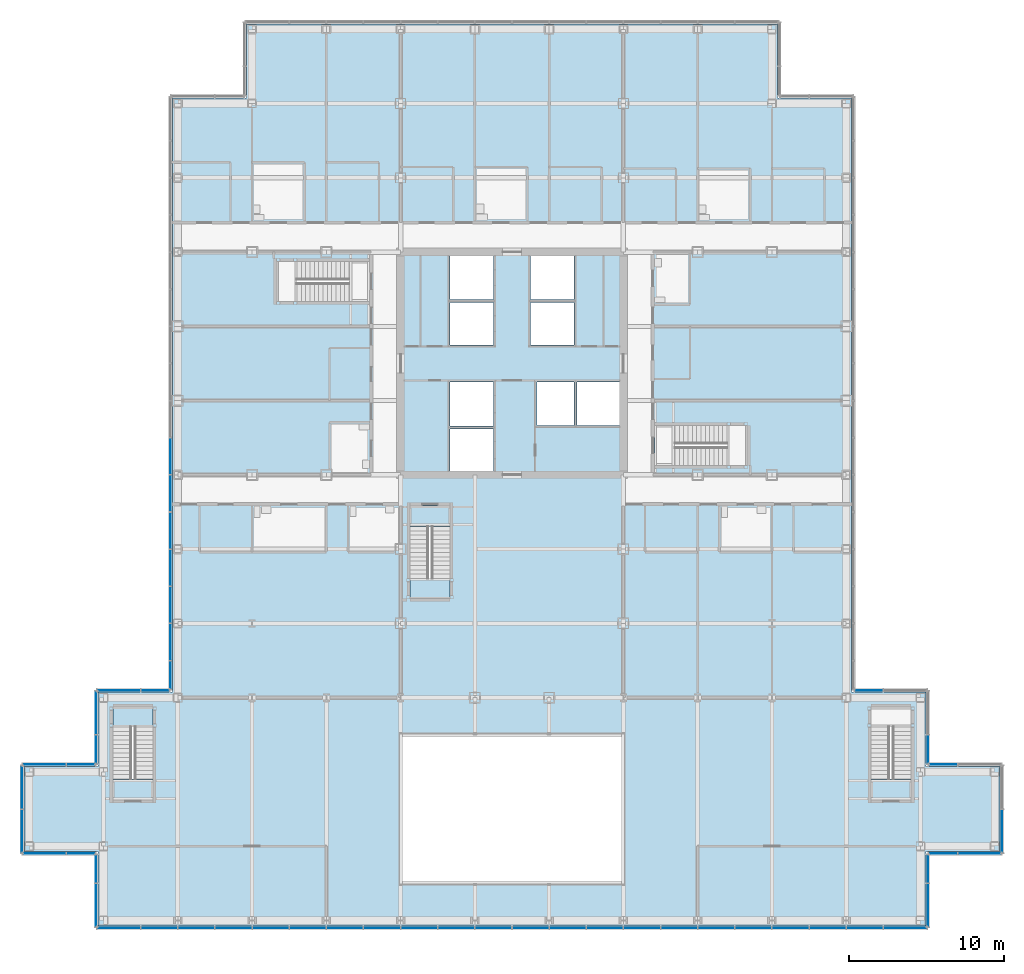
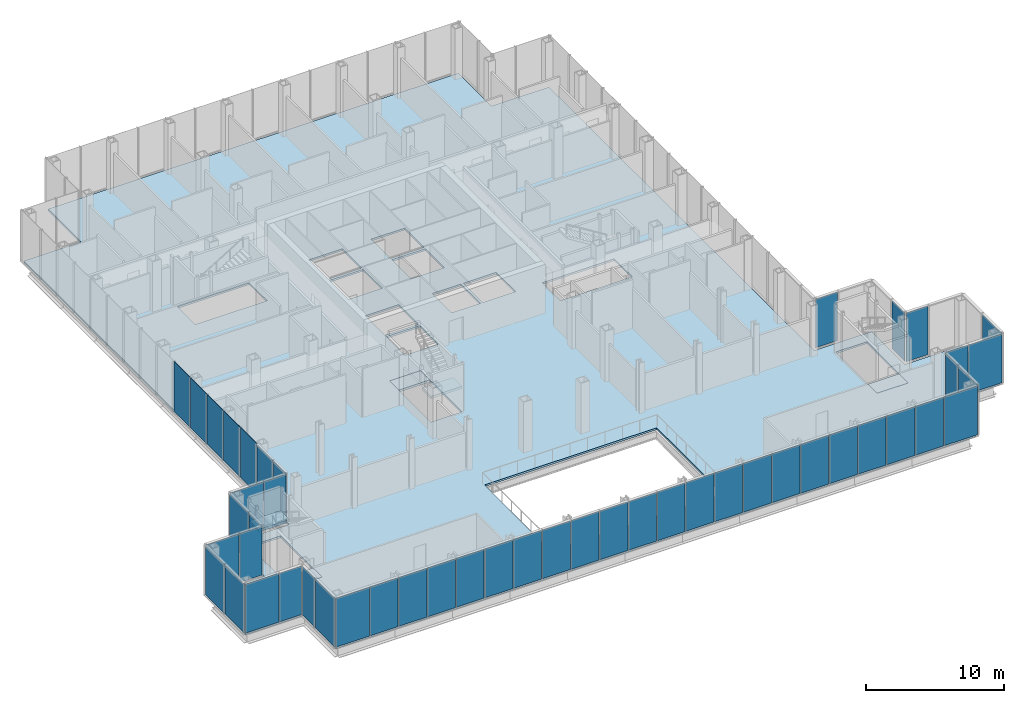
# One storey, part 18 of 26: 49 plates, 6 slabs, 17 elements without a shape of their own.
"""IFC4 building model written with IfcOpenShell, lengths in metres."""

from ifc_helpers import new_model, si_unit, direction, frame, origin, origin_2d, place, context, subcontext, project, spatial, polyline, rectangle, outline, extrude, material, layer, layer_set, type_object, element, aggregate, save


model = new_model("IFC4")

# Units and contexts
model_context = context("Model", 3, precision=1e-05, world=origin(), true_north=direction((0.0, 1.0)))
body_context = subcontext(model_context, "Body", "Model", "MODEL_VIEW")
ifc_project = project(units=[si_unit("LENGTHUNIT", "METRE"), si_unit("AREAUNIT", "SQUARE_METRE"), si_unit("VOLUMEUNIT", "CUBIC_METRE"), si_unit("PLANEANGLEUNIT", "RADIAN"), si_unit("MASSUNIT", "GRAM", prefix="KILO")], contexts=[model_context])

# Site, building, storey
site_placement = place(None, origin())
site = spatial("IfcSite", under=ifc_project, at=site_placement, CompositionType="ELEMENT")
building_placement = place(site_placement, origin())
building = spatial("IfcBuilding", under=site, at=building_placement, Name="Kvirike Care Tower", CompositionType="ELEMENT")
storey_placement = place(building_placement, frame((0.0, 0.0, 18.0)))
storey = spatial("IfcBuildingStorey", under=building, at=storey_placement, Name="L04", CompositionType="ELEMENT", Elevation=18.0)

# Slab
ifc_material_1 = material(Name="Concrete C35/45", Category="concrete")
ifc_layer_1 = layer(ifc_material_1, 0.169921875)
ifc_layer_set_1 = layer_set([ifc_layer_1], Name="FLOOR SLAB 170")
slab_type_1 = type_object("IfcSlabType", Name="FLOOR SLAB 170", PredefinedType="FLOOR", material=ifc_layer_set_1)
slab_1_placement = place(storey_placement, frame((0.0, 0.0, -0.169921875)))
element("IfcSlab", 1, at=slab_1_placement, inside=storey, type_object=slab_type_1, Name="Floor slab L04", PredefinedType="FLOOR", context=body_context, shape_type="SweptSolid", body=[
    extrude(outline(polyline([(-5.14990234375, -0.35009765625), (48.35009765625, -0.35009765625), (48.35009765625, 4.449951171875), (53.14990234375, 4.449951171875), (53.14990234375, 9.949951171875), (48.35009765625, 9.949951171875), (48.35009765625, 14.75), (43.550048828125, 14.75), (43.550048828125, 53.14990234375), (38.75, 53.14990234375), (38.75, 57.949951171875), (4.449951171875, 57.949951171875), (4.449951171875, 53.14990234375), (-0.35009765625, 53.14990234375), (-0.35009765625, 14.75), (-5.14990234375, 14.75), (-5.14990234375, 9.949951171875), (-9.949951171875, 9.949951171875), (-9.949951171875, 4.449951171875), (-5.14990234375, 4.449951171875), (-5.14990234375, -0.35009765625)]), holes=[polyline([(17.60009765625, 29.050048828125), (17.60009765625, 31.75), (20.39990234375, 31.75), (20.39990234375, 29.050048828125), (17.60009765625, 29.050048828125)]), polyline([(17.60009765625, 31.949951171875), (17.60009765625, 34.800048828125), (20.39990234375, 34.800048828125), (20.39990234375, 31.949951171875), (17.60009765625, 31.949951171875)]), polyline([(17.60009765625, 37.199951171875), (17.60009765625, 39.949951171875), (20.39990234375, 39.949951171875), (20.39990234375, 37.199951171875), (17.60009765625, 37.199951171875)]), polyline([(17.60009765625, 40.14990234375), (17.60009765625, 42.949951171875), (20.39990234375, 42.949951171875), (20.39990234375, 40.14990234375), (17.60009765625, 40.14990234375)]), polyline([(22.800048828125, 37.199951171875), (22.800048828125, 39.949951171875), (25.60009765625, 39.949951171875), (25.60009765625, 37.199951171875), (22.800048828125, 37.199951171875)]), polyline([(22.800048828125, 40.14990234375), (22.800048828125, 42.949951171875), (25.60009765625, 42.949951171875), (25.60009765625, 40.14990234375), (22.800048828125, 40.14990234375)]), polyline([(23.199951171875, 32.0), (23.199951171875, 34.800048828125), (25.60009765625, 34.800048828125), (25.60009765625, 32.0), (23.199951171875, 32.0)]), polyline([(25.800048828125, 32.0), (25.800048828125, 34.800048828125), (28.550048828125, 34.800048828125), (28.550048828125, 32.0), (25.800048828125, 32.0)]), polyline([(14.39990234375, 2.39990234375), (14.39990234375, 12.0), (28.800048828125, 12.0), (28.800048828125, 2.39990234375), (14.39990234375, 2.39990234375)]), polyline([(12.39990234375, 42.60009765625), (12.39990234375, 40.0), (6.39990234375, 40.0), (6.39990234375, 42.60009765625), (12.39990234375, 42.60009765625)]), polyline([(30.800048828125, 29.39990234375), (30.800048828125, 32.0), (36.800048828125, 32.0), (36.800048828125, 29.39990234375), (30.800048828125, 29.39990234375)]), polyline([(-1.60009765625, 13.800048828125), (-1.60009765625, 7.800048828125), (-4.199951171875, 7.800048828125), (-4.199951171875, 13.800048828125), (-1.60009765625, 13.800048828125)]), polyline([(47.39990234375, 13.800048828125), (47.39990234375, 7.800048828125), (44.800048828125, 7.800048828125), (44.800048828125, 13.800048828125), (47.39990234375, 13.800048828125)]), polyline([(15.0, 26.800048828125), (17.60009765625, 26.800048828125), (17.60009765625, 20.800048828125), (15.0, 20.800048828125), (15.0, 26.800048828125)])]), origin(), (0.0, 0.0, 1.0), 0.169921875),
])

# Curtain wall, plates
ifc_material_2 = material(Name="Anodised aluminium stick system", Category="aluminium")
curtain_wall_type = type_object("IfcCurtainWallType", Name="CW-P PODIUM STICK CURTAIN WALL", PredefinedType="NOTDEFINED", material=ifc_material_2)
curtain_wall_1_placement = place(storey_placement, origin())
curtain_wall_1 = element("IfcCurtainWall", 2, at=curtain_wall_1_placement, inside=storey, type_object=curtain_wall_type, Name="Curtain wall L04 face 1", PredefinedType="NOTDEFINED")
ifc_material_3 = material(Name="Tinted double glazed unit", Category="glass")
ifc_layer_2 = layer(ifc_material_3, 0.031982421875)
ifc_layer_set_2 = layer_set([ifc_layer_2], Name="PODIUM VISION PANEL 32")
plate_type = type_object("IfcPlateType", Name="PODIUM VISION PANEL 32", PredefinedType="CURTAIN_PANEL", material=ifc_layer_set_2)
plate_1_placement = place(storey_placement, frame((-3.8212890625, -0.47509765625, 0.10009765625), z_axis=(0.0, 0.0, 1.0), x_axis=(1.0, 0.0, 0.0)))
plate_1 = element("IfcPlate", 3, at=plate_1_placement, type_object=plate_type, Name="CW-P panel L04 face 1.1", PredefinedType="CURTAIN_PANEL", context=body_context, shape_type="SweptSolid", body=[
    extrude(rectangle(XDim=2.777587890625, YDim=0.031982421875, at=origin_2d()), origin(), (0.0, 0.0, 1.0), 4.300048828125),
])
plate_2_placement = place(storey_placement, frame((-1.199951171875, -0.47509765625, 0.10009765625), z_axis=(0.0, 0.0, 1.0), x_axis=(1.0, 0.0, 0.0)))
plate_2 = element("IfcPlate", 4, at=plate_2_placement, type_object=plate_type, Name="CW-P panel L04 face 1.2", PredefinedType="CURTAIN_PANEL", context=body_context, shape_type="SweptSolid", body=[
    extrude(rectangle(XDim=2.3349609375, YDim=0.031982421875, at=origin_2d()), origin(), (0.0, 0.0, 1.0), 4.300048828125),
])
plate_3_placement = place(storey_placement, frame((1.199951171875, -0.47509765625, 0.10009765625), z_axis=(0.0, 0.0, 1.0), x_axis=(1.0, 0.0, 0.0)))
plate_3 = element("IfcPlate", 5, at=plate_3_placement, type_object=plate_type, Name="CW-P panel L04 face 1.3", PredefinedType="CURTAIN_PANEL", context=body_context, shape_type="SweptSolid", body=[
    extrude(rectangle(XDim=2.3349609375, YDim=0.031982421875, at=origin_2d()), origin(), (0.0, 0.0, 1.0), 4.300048828125),
])
plate_4_placement = place(storey_placement, frame((3.60009765625, -0.47509765625, 0.10009765625), z_axis=(0.0, 0.0, 1.0), x_axis=(1.0, 0.0, 0.0)))
plate_4 = element("IfcPlate", 6, at=plate_4_placement, type_object=plate_type, Name="CW-P panel L04 face 1.4", PredefinedType="CURTAIN_PANEL", context=body_context, shape_type="SweptSolid", body=[
    extrude(rectangle(XDim=2.3349609375, YDim=0.031982421875, at=origin_2d()), origin(), (0.0, 0.0, 1.0), 4.300048828125),
])
plate_5_placement = place(storey_placement, frame((6.0, -0.47509765625, 0.10009765625), z_axis=(0.0, 0.0, 1.0), x_axis=(1.0, 0.0, 0.0)))
plate_5 = element("IfcPlate", 7, at=plate_5_placement, type_object=plate_type, Name="CW-P panel L04 face 1.5", PredefinedType="CURTAIN_PANEL", context=body_context, shape_type="SweptSolid", body=[
    extrude(rectangle(XDim=2.3349609375, YDim=0.031982421875, at=origin_2d()), origin(), (0.0, 0.0, 1.0), 4.300048828125),
])
plate_6_placement = place(storey_placement, frame((8.39990234375, -0.47509765625, 0.10009765625), z_axis=(0.0, 0.0, 1.0), x_axis=(1.0, 0.0, 0.0)))
plate_6 = element("IfcPlate", 8, at=plate_6_placement, type_object=plate_type, Name="CW-P panel L04 face 1.6", PredefinedType="CURTAIN_PANEL", context=body_context, shape_type="SweptSolid", body=[
    extrude(rectangle(XDim=2.3349609375, YDim=0.031982421875, at=origin_2d()), origin(), (0.0, 0.0, 1.0), 4.300048828125),
])
plate_7_placement = place(storey_placement, frame((10.800048828125, -0.47509765625, 0.10009765625), z_axis=(0.0, 0.0, 1.0), x_axis=(1.0, 0.0, 0.0)))
plate_7 = element("IfcPlate", 9, at=plate_7_placement, type_object=plate_type, Name="CW-P panel L04 face 1.7", PredefinedType="CURTAIN_PANEL", context=body_context, shape_type="SweptSolid", body=[
    extrude(rectangle(XDim=2.3349609375, YDim=0.031982421875, at=origin_2d()), origin(), (0.0, 0.0, 1.0), 4.300048828125),
])
plate_8_placement = place(storey_placement, frame((13.199951171875, -0.47509765625, 0.10009765625), z_axis=(0.0, 0.0, 1.0), x_axis=(1.0, 0.0, 0.0)))
plate_8 = element("IfcPlate", 10, at=plate_8_placement, type_object=plate_type, Name="CW-P panel L04 face 1.8", PredefinedType="CURTAIN_PANEL", context=body_context, shape_type="SweptSolid", body=[
    extrude(rectangle(XDim=2.3349609375, YDim=0.031982421875, at=origin_2d()), origin(), (0.0, 0.0, 1.0), 4.300048828125),
])
plate_9_placement = place(storey_placement, frame((15.60009765625, -0.47509765625, 0.10009765625), z_axis=(0.0, 0.0, 1.0), x_axis=(1.0, 0.0, 0.0)))
plate_9 = element("IfcPlate", 11, at=plate_9_placement, type_object=plate_type, Name="CW-P panel L04 face 1.9", PredefinedType="CURTAIN_PANEL", context=body_context, shape_type="SweptSolid", body=[
    extrude(rectangle(XDim=2.3349609375, YDim=0.031982421875, at=origin_2d()), origin(), (0.0, 0.0, 1.0), 4.300048828125),
])
plate_10_placement = place(storey_placement, frame((18.0, -0.47509765625, 0.10009765625), z_axis=(0.0, 0.0, 1.0), x_axis=(1.0, 0.0, 0.0)))
plate_10 = element("IfcPlate", 12, at=plate_10_placement, type_object=plate_type, Name="CW-P panel L04 face 1.10", PredefinedType="CURTAIN_PANEL", context=body_context, shape_type="SweptSolid", body=[
    extrude(rectangle(XDim=2.3349609375, YDim=0.031982421875, at=origin_2d()), origin(), (0.0, 0.0, 1.0), 4.300048828125),
])
plate_11_placement = place(storey_placement, frame((20.39990234375, -0.47509765625, 0.10009765625), z_axis=(0.0, 0.0, 1.0), x_axis=(1.0, 0.0, 0.0)))
plate_11 = element("IfcPlate", 13, at=plate_11_placement, type_object=plate_type, Name="CW-P panel L04 face 1.11", PredefinedType="CURTAIN_PANEL", context=body_context, shape_type="SweptSolid", body=[
    extrude(rectangle(XDim=2.3349609375, YDim=0.031982421875, at=origin_2d()), origin(), (0.0, 0.0, 1.0), 4.300048828125),
])
plate_12_placement = place(storey_placement, frame((22.800048828125, -0.47509765625, 0.10009765625), z_axis=(0.0, 0.0, 1.0), x_axis=(1.0, 0.0, 0.0)))
plate_12 = element("IfcPlate", 14, at=plate_12_placement, type_object=plate_type, Name="CW-P panel L04 face 1.12", PredefinedType="CURTAIN_PANEL", context=body_context, shape_type="SweptSolid", body=[
    extrude(rectangle(XDim=2.3349609375, YDim=0.031982421875, at=origin_2d()), origin(), (0.0, 0.0, 1.0), 4.300048828125),
])
plate_13_placement = place(storey_placement, frame((25.199951171875, -0.47509765625, 0.10009765625), z_axis=(0.0, 0.0, 1.0), x_axis=(1.0, 0.0, 0.0)))
plate_13 = element("IfcPlate", 15, at=plate_13_placement, type_object=plate_type, Name="CW-P panel L04 face 1.13", PredefinedType="CURTAIN_PANEL", context=body_context, shape_type="SweptSolid", body=[
    extrude(rectangle(XDim=2.3349609375, YDim=0.031982421875, at=origin_2d()), origin(), (0.0, 0.0, 1.0), 4.300048828125),
])
plate_14_placement = place(storey_placement, frame((27.60009765625, -0.47509765625, 0.10009765625), z_axis=(0.0, 0.0, 1.0), x_axis=(1.0, 0.0, 0.0)))
plate_14 = element("IfcPlate", 16, at=plate_14_placement, type_object=plate_type, Name="CW-P panel L04 face 1.14", PredefinedType="CURTAIN_PANEL", context=body_context, shape_type="SweptSolid", body=[
    extrude(rectangle(XDim=2.3349609375, YDim=0.031982421875, at=origin_2d()), origin(), (0.0, 0.0, 1.0), 4.300048828125),
])
plate_15_placement = place(storey_placement, frame((30.0, -0.47509765625, 0.10009765625), z_axis=(0.0, 0.0, 1.0), x_axis=(1.0, 0.0, 0.0)))
plate_15 = element("IfcPlate", 17, at=plate_15_placement, type_object=plate_type, Name="CW-P panel L04 face 1.15", PredefinedType="CURTAIN_PANEL", context=body_context, shape_type="SweptSolid", body=[
    extrude(rectangle(XDim=2.3349609375, YDim=0.031982421875, at=origin_2d()), origin(), (0.0, 0.0, 1.0), 4.300048828125),
])
plate_16_placement = place(storey_placement, frame((32.39990234375, -0.47509765625, 0.10009765625), z_axis=(0.0, 0.0, 1.0), x_axis=(1.0, 0.0, 0.0)))
plate_16 = element("IfcPlate", 18, at=plate_16_placement, type_object=plate_type, Name="CW-P panel L04 face 1.16", PredefinedType="CURTAIN_PANEL", context=body_context, shape_type="SweptSolid", body=[
    extrude(rectangle(XDim=2.3349609375, YDim=0.031982421875, at=origin_2d()), origin(), (0.0, 0.0, 1.0), 4.300048828125),
])
plate_17_placement = place(storey_placement, frame((34.800048828125, -0.47509765625, 0.10009765625), z_axis=(0.0, 0.0, 1.0), x_axis=(1.0, 0.0, 0.0)))
plate_17 = element("IfcPlate", 19, at=plate_17_placement, type_object=plate_type, Name="CW-P panel L04 face 1.17", PredefinedType="CURTAIN_PANEL", context=body_context, shape_type="SweptSolid", body=[
    extrude(rectangle(XDim=2.3349609375, YDim=0.031982421875, at=origin_2d()), origin(), (0.0, 0.0, 1.0), 4.300048828125),
])
plate_18_placement = place(storey_placement, frame((37.199951171875, -0.47509765625, 0.10009765625), z_axis=(0.0, 0.0, 1.0), x_axis=(1.0, 0.0, 0.0)))
plate_18 = element("IfcPlate", 20, at=plate_18_placement, type_object=plate_type, Name="CW-P panel L04 face 1.18", PredefinedType="CURTAIN_PANEL", context=body_context, shape_type="SweptSolid", body=[
    extrude(rectangle(XDim=2.3349609375, YDim=0.031982421875, at=origin_2d()), origin(), (0.0, 0.0, 1.0), 4.300048828125),
])
plate_19_placement = place(storey_placement, frame((39.60009765625, -0.47509765625, 0.10009765625), z_axis=(0.0, 0.0, 1.0), x_axis=(1.0, 0.0, 0.0)))
plate_19 = element("IfcPlate", 21, at=plate_19_placement, type_object=plate_type, Name="CW-P panel L04 face 1.19", PredefinedType="CURTAIN_PANEL", context=body_context, shape_type="SweptSolid", body=[
    extrude(rectangle(XDim=2.3349609375, YDim=0.031982421875, at=origin_2d()), origin(), (0.0, 0.0, 1.0), 4.300048828125),
])
plate_20_placement = place(storey_placement, frame((42.0, -0.47509765625, 0.10009765625), z_axis=(0.0, 0.0, 1.0), x_axis=(1.0, 0.0, 0.0)))
plate_20 = element("IfcPlate", 22, at=plate_20_placement, type_object=plate_type, Name="CW-P panel L04 face 1.20", PredefinedType="CURTAIN_PANEL", context=body_context, shape_type="SweptSolid", body=[
    extrude(rectangle(XDim=2.3349609375, YDim=0.031982421875, at=origin_2d()), origin(), (0.0, 0.0, 1.0), 4.300048828125),
])
plate_21_placement = place(storey_placement, frame((44.39990234375, -0.47509765625, 0.10009765625), z_axis=(0.0, 0.0, 1.0), x_axis=(1.0, 0.0, 0.0)))
plate_21 = element("IfcPlate", 23, at=plate_21_placement, type_object=plate_type, Name="CW-P panel L04 face 1.21", PredefinedType="CURTAIN_PANEL", context=body_context, shape_type="SweptSolid", body=[
    extrude(rectangle(XDim=2.3349609375, YDim=0.031982421875, at=origin_2d()), origin(), (0.0, 0.0, 1.0), 4.300048828125),
])
plate_22_placement = place(storey_placement, frame((47.021240234375, -0.47509765625, 0.10009765625), z_axis=(0.0, 0.0, 1.0), x_axis=(1.0, 0.0, 0.0)))
plate_22 = element("IfcPlate", 24, at=plate_22_placement, type_object=plate_type, Name="CW-P panel L04 face 1.22", PredefinedType="CURTAIN_PANEL", context=body_context, shape_type="SweptSolid", body=[
    extrude(rectangle(XDim=2.777587890625, YDim=0.031982421875, at=origin_2d()), origin(), (0.0, 0.0, 1.0), 4.300048828125),
])
aggregate(curtain_wall_1, [plate_1, plate_2, plate_3, plate_4, plate_5, plate_6, plate_7, plate_8, plate_9, plate_10, plate_11, plate_12, plate_13, plate_14, plate_15, plate_16, plate_17, plate_18, plate_19, plate_20, plate_21, plate_22])

curtain_wall_2_placement = place(storey_placement, origin())
curtain_wall_2 = element("IfcCurtainWall", 25, at=curtain_wall_2_placement, inside=storey, type_object=curtain_wall_type, Name="Curtain wall L04 face 2", PredefinedType="NOTDEFINED")
plate_23_placement = place(storey_placement, frame((48.47509765625, 0.978759765625, 0.10009765625), z_axis=(0.0, 0.0, 1.0), x_axis=(0.0, 1.0, 0.0)))
plate_23 = element("IfcPlate", 26, at=plate_23_placement, type_object=plate_type, Name="CW-P panel L04 face 2.1", PredefinedType="CURTAIN_PANEL", context=body_context, shape_type="SweptSolid", body=[
    extrude(rectangle(XDim=2.777587890625, YDim=0.031982421875, at=origin_2d()), origin(), (0.0, 0.0, 1.0), 4.300048828125),
])
plate_24_placement = place(storey_placement, frame((48.47509765625, 3.34619140625, 0.10009765625), z_axis=(0.0, 0.0, 1.0), x_axis=(0.0, 1.0, 0.0)))
plate_24 = element("IfcPlate", 27, at=plate_24_placement, type_object=plate_type, Name="CW-P panel L04 face 2.2", PredefinedType="CURTAIN_PANEL", context=body_context, shape_type="SweptSolid", body=[
    extrude(rectangle(XDim=1.827392578125, YDim=0.031982421875, at=origin_2d()), origin(), (0.0, 0.0, 1.0), 4.300048828125),
])
aggregate(curtain_wall_2, [plate_23, plate_24])

curtain_wall_3_placement = place(storey_placement, origin())
curtain_wall_3 = element("IfcCurtainWall", 28, at=curtain_wall_3_placement, inside=storey, type_object=curtain_wall_type, Name="Curtain wall L04 face 3", PredefinedType="NOTDEFINED")
plate_25_placement = place(storey_placement, frame((49.453857421875, 4.324951171875, 0.10009765625), z_axis=(0.0, 0.0, 1.0), x_axis=(1.0, 0.0, 0.0)))
plate_25 = element("IfcPlate", 29, at=plate_25_placement, type_object=plate_type, Name="CW-P panel L04 face 3.1", PredefinedType="CURTAIN_PANEL", context=body_context, shape_type="SweptSolid", body=[
    extrude(rectangle(XDim=1.827392578125, YDim=0.031982421875, at=origin_2d()), origin(), (0.0, 0.0, 1.0), 4.300048828125),
])
plate_26_placement = place(storey_placement, frame((51.8212890625, 4.324951171875, 0.10009765625), z_axis=(0.0, 0.0, 1.0), x_axis=(1.0, 0.0, 0.0)))
plate_26 = element("IfcPlate", 30, at=plate_26_placement, type_object=plate_type, Name="CW-P panel L04 face 3.2", PredefinedType="CURTAIN_PANEL", context=body_context, shape_type="SweptSolid", body=[
    extrude(rectangle(XDim=2.777587890625, YDim=0.031982421875, at=origin_2d()), origin(), (0.0, 0.0, 1.0), 4.300048828125),
])
aggregate(curtain_wall_3, [plate_25, plate_26])

# Curtain wall, plate
curtain_wall_4_placement = place(storey_placement, origin())
curtain_wall_4 = element("IfcCurtainWall", 31, at=curtain_wall_4_placement, inside=storey, type_object=curtain_wall_type, Name="Curtain wall L04 face 4", PredefinedType="NOTDEFINED")
plate_27_placement = place(storey_placement, frame((53.27490234375, 5.77880859375, 0.10009765625), z_axis=(0.0, 0.0, 1.0), x_axis=(0.0, 1.0, 0.0)))
plate_27 = element("IfcPlate", 32, at=plate_27_placement, type_object=plate_type, Name="CW-P panel L04 face 4.1", PredefinedType="CURTAIN_PANEL", context=body_context, shape_type="SweptSolid", body=[
    extrude(rectangle(XDim=2.777587890625, YDim=0.031982421875, at=origin_2d()), origin(), (0.0, 0.0, 1.0), 4.300048828125),
])
aggregate(curtain_wall_4, [plate_27])

curtain_wall_5_placement = place(storey_placement, origin())
curtain_wall_5 = element("IfcCurtainWall", 33, at=curtain_wall_5_placement, inside=storey, type_object=curtain_wall_type, Name="Curtain wall L04 face 5", PredefinedType="NOTDEFINED")
plate_28_placement = place(storey_placement, frame((49.453857421875, 10.074951171875, 0.10009765625), z_axis=(0.0, 0.0, 1.0), x_axis=(-1.0, 0.0, 0.0)))
plate_28 = element("IfcPlate", 34, at=plate_28_placement, type_object=plate_type, Name="CW-P panel L04 face 5.2", PredefinedType="CURTAIN_PANEL", context=body_context, shape_type="SweptSolid", body=[
    extrude(rectangle(XDim=1.827392578125, YDim=0.031982421875, at=origin_2d()), origin(), (0.0, 0.0, 1.0), 4.300048828125),
])
aggregate(curtain_wall_5, [plate_28])

curtain_wall_6_placement = place(storey_placement, origin())
curtain_wall_6 = element("IfcCurtainWall", 35, at=curtain_wall_6_placement, inside=storey, type_object=curtain_wall_type, Name="Curtain wall L04 face 6", PredefinedType="NOTDEFINED")
plate_29_placement = place(storey_placement, frame((48.47509765625, 11.0537109375, 0.10009765625), z_axis=(0.0, 0.0, 1.0), x_axis=(0.0, 1.0, 0.0)))
plate_29 = element("IfcPlate", 36, at=plate_29_placement, type_object=plate_type, Name="CW-P panel L04 face 6.1", PredefinedType="CURTAIN_PANEL", context=body_context, shape_type="SweptSolid", body=[
    extrude(rectangle(XDim=1.827392578125, YDim=0.031982421875, at=origin_2d()), origin(), (0.0, 0.0, 1.0), 4.300048828125),
])
aggregate(curtain_wall_6, [plate_29])

curtain_wall_7_placement = place(storey_placement, origin())
curtain_wall_7 = element("IfcCurtainWall", 37, at=curtain_wall_7_placement, inside=storey, type_object=curtain_wall_type, Name="Curtain wall L04 face 7", PredefinedType="NOTDEFINED")
plate_30_placement = place(storey_placement, frame((44.65380859375, 14.875, 0.10009765625), z_axis=(0.0, 0.0, 1.0), x_axis=(-1.0, 0.0, 0.0)))
plate_30 = element("IfcPlate", 38, at=plate_30_placement, type_object=plate_type, Name="CW-P panel L04 face 7.2", PredefinedType="CURTAIN_PANEL", context=body_context, shape_type="SweptSolid", body=[
    extrude(rectangle(XDim=1.827392578125, YDim=0.031982421875, at=origin_2d()), origin(), (0.0, 0.0, 1.0), 4.300048828125),
])
aggregate(curtain_wall_7, [plate_30])

# Curtain wall, plates
curtain_wall_8_placement = place(storey_placement, origin())
curtain_wall_8 = element("IfcCurtainWall", 39, at=curtain_wall_8_placement, inside=storey, type_object=curtain_wall_type, Name="Curtain wall L04 face 14", PredefinedType="NOTDEFINED")
plate_31_placement = place(storey_placement, frame((-0.47509765625, 30.0, 0.10009765625), z_axis=(0.0, 0.0, 1.0), x_axis=(0.0, -1.0, 0.0)))
plate_31 = element("IfcPlate", 40, at=plate_31_placement, type_object=plate_type, Name="CW-P panel L04 face 14.10", PredefinedType="CURTAIN_PANEL", context=body_context, shape_type="SweptSolid", body=[
    extrude(rectangle(XDim=2.3349609375, YDim=0.031982421875, at=origin_2d()), origin(), (0.0, 0.0, 1.0), 4.39990234375),
])
plate_32_placement = place(storey_placement, frame((-0.47509765625, 27.60009765625, 0.10009765625), z_axis=(0.0, 0.0, 1.0), x_axis=(0.0, -1.0, 0.0)))
plate_32 = element("IfcPlate", 41, at=plate_32_placement, type_object=plate_type, Name="CW-P panel L04 face 14.11", PredefinedType="CURTAIN_PANEL", context=body_context, shape_type="SweptSolid", body=[
    extrude(rectangle(XDim=2.3349609375, YDim=0.031982421875, at=origin_2d()), origin(), (0.0, 0.0, 1.0), 4.39990234375),
])
plate_33_placement = place(storey_placement, frame((-0.47509765625, 25.199951171875, 0.10009765625), z_axis=(0.0, 0.0, 1.0), x_axis=(0.0, -1.0, 0.0)))
plate_33 = element("IfcPlate", 42, at=plate_33_placement, type_object=plate_type, Name="CW-P panel L04 face 14.12", PredefinedType="CURTAIN_PANEL", context=body_context, shape_type="SweptSolid", body=[
    extrude(rectangle(XDim=2.3349609375, YDim=0.031982421875, at=origin_2d()), origin(), (0.0, 0.0, 1.0), 4.39990234375),
])
plate_34_placement = place(storey_placement, frame((-0.47509765625, 22.800048828125, 0.10009765625), z_axis=(0.0, 0.0, 1.0), x_axis=(0.0, -1.0, 0.0)))
plate_34 = element("IfcPlate", 43, at=plate_34_placement, type_object=plate_type, Name="CW-P panel L04 face 14.13", PredefinedType="CURTAIN_PANEL", context=body_context, shape_type="SweptSolid", body=[
    extrude(rectangle(XDim=2.3349609375, YDim=0.031982421875, at=origin_2d()), origin(), (0.0, 0.0, 1.0), 4.39990234375),
])
plate_35_placement = place(storey_placement, frame((-0.47509765625, 20.39990234375, 0.10009765625), z_axis=(0.0, 0.0, 1.0), x_axis=(0.0, -1.0, 0.0)))
plate_35 = element("IfcPlate", 44, at=plate_35_placement, type_object=plate_type, Name="CW-P panel L04 face 14.14", PredefinedType="CURTAIN_PANEL", context=body_context, shape_type="SweptSolid", body=[
    extrude(rectangle(XDim=2.3349609375, YDim=0.031982421875, at=origin_2d()), origin(), (0.0, 0.0, 1.0), 4.39990234375),
])
plate_36_placement = place(storey_placement, frame((-0.47509765625, 18.0, 0.10009765625), z_axis=(0.0, 0.0, 1.0), x_axis=(0.0, -1.0, 0.0)))
plate_36 = element("IfcPlate", 45, at=plate_36_placement, type_object=plate_type, Name="CW-P panel L04 face 14.15", PredefinedType="CURTAIN_PANEL", context=body_context, shape_type="SweptSolid", body=[
    extrude(rectangle(XDim=2.3349609375, YDim=0.031982421875, at=origin_2d()), origin(), (0.0, 0.0, 1.0), 4.300048828125),
])
plate_37_placement = place(storey_placement, frame((-0.47509765625, 15.853759765625, 0.10009765625), z_axis=(0.0, 0.0, 1.0), x_axis=(0.0, -1.0, 0.0)))
plate_37 = element("IfcPlate", 46, at=plate_37_placement, type_object=plate_type, Name="CW-P panel L04 face 14.16", PredefinedType="CURTAIN_PANEL", context=body_context, shape_type="SweptSolid", body=[
    extrude(rectangle(XDim=1.827392578125, YDim=0.031982421875, at=origin_2d()), origin(), (0.0, 0.0, 1.0), 4.300048828125),
])
aggregate(curtain_wall_8, [plate_31, plate_32, plate_33, plate_34, plate_35, plate_36, plate_37])

curtain_wall_9_placement = place(storey_placement, origin())
curtain_wall_9 = element("IfcCurtainWall", 47, at=curtain_wall_9_placement, inside=storey, type_object=curtain_wall_type, Name="Curtain wall L04 face 15", PredefinedType="NOTDEFINED")
plate_38_placement = place(storey_placement, frame((-1.453857421875, 14.875, 0.10009765625), z_axis=(0.0, 0.0, 1.0), x_axis=(-1.0, 0.0, 0.0)))
plate_38 = element("IfcPlate", 48, at=plate_38_placement, type_object=plate_type, Name="CW-P panel L04 face 15.1", PredefinedType="CURTAIN_PANEL", context=body_context, shape_type="SweptSolid", body=[
    extrude(rectangle(XDim=1.827392578125, YDim=0.031982421875, at=origin_2d()), origin(), (0.0, 0.0, 1.0), 4.300048828125),
])
plate_39_placement = place(storey_placement, frame((-3.8212890625, 14.875, 0.10009765625), z_axis=(0.0, 0.0, 1.0), x_axis=(-1.0, 0.0, 0.0)))
plate_39 = element("IfcPlate", 49, at=plate_39_placement, type_object=plate_type, Name="CW-P panel L04 face 15.2", PredefinedType="CURTAIN_PANEL", context=body_context, shape_type="SweptSolid", body=[
    extrude(rectangle(XDim=2.777587890625, YDim=0.031982421875, at=origin_2d()), origin(), (0.0, 0.0, 1.0), 4.300048828125),
])
aggregate(curtain_wall_9, [plate_38, plate_39])

curtain_wall_10_placement = place(storey_placement, origin())
curtain_wall_10 = element("IfcCurtainWall", 50, at=curtain_wall_10_placement, inside=storey, type_object=curtain_wall_type, Name="Curtain wall L04 face 16", PredefinedType="NOTDEFINED")
plate_40_placement = place(storey_placement, frame((-5.27490234375, 13.421142578125, 0.10009765625), z_axis=(0.0, 0.0, 1.0), x_axis=(0.0, -1.0, 0.0)))
plate_40 = element("IfcPlate", 51, at=plate_40_placement, type_object=plate_type, Name="CW-P panel L04 face 16.1", PredefinedType="CURTAIN_PANEL", context=body_context, shape_type="SweptSolid", body=[
    extrude(rectangle(XDim=2.777587890625, YDim=0.031982421875, at=origin_2d()), origin(), (0.0, 0.0, 1.0), 4.300048828125),
])
plate_41_placement = place(storey_placement, frame((-5.27490234375, 11.0537109375, 0.10009765625), z_axis=(0.0, 0.0, 1.0), x_axis=(0.0, -1.0, 0.0)))
plate_41 = element("IfcPlate", 52, at=plate_41_placement, type_object=plate_type, Name="CW-P panel L04 face 16.2", PredefinedType="CURTAIN_PANEL", context=body_context, shape_type="SweptSolid", body=[
    extrude(rectangle(XDim=1.827392578125, YDim=0.031982421875, at=origin_2d()), origin(), (0.0, 0.0, 1.0), 4.300048828125),
])
aggregate(curtain_wall_10, [plate_40, plate_41])

curtain_wall_11_placement = place(storey_placement, origin())
curtain_wall_11 = element("IfcCurtainWall", 53, at=curtain_wall_11_placement, inside=storey, type_object=curtain_wall_type, Name="Curtain wall L04 face 17", PredefinedType="NOTDEFINED")
plate_42_placement = place(storey_placement, frame((-6.253662109375, 10.074951171875, 0.10009765625), z_axis=(0.0, 0.0, 1.0), x_axis=(-1.0, 0.0, 0.0)))
plate_42 = element("IfcPlate", 54, at=plate_42_placement, type_object=plate_type, Name="CW-P panel L04 face 17.1", PredefinedType="CURTAIN_PANEL", context=body_context, shape_type="SweptSolid", body=[
    extrude(rectangle(XDim=1.827392578125, YDim=0.031982421875, at=origin_2d()), origin(), (0.0, 0.0, 1.0), 4.300048828125),
])
plate_43_placement = place(storey_placement, frame((-8.621337890625, 10.074951171875, 0.10009765625), z_axis=(0.0, 0.0, 1.0), x_axis=(-1.0, 0.0, 0.0)))
plate_43 = element("IfcPlate", 55, at=plate_43_placement, type_object=plate_type, Name="CW-P panel L04 face 17.2", PredefinedType="CURTAIN_PANEL", context=body_context, shape_type="SweptSolid", body=[
    extrude(rectangle(XDim=2.777587890625, YDim=0.031982421875, at=origin_2d()), origin(), (0.0, 0.0, 1.0), 4.300048828125),
])
aggregate(curtain_wall_11, [plate_42, plate_43])

curtain_wall_12_placement = place(storey_placement, origin())
curtain_wall_12 = element("IfcCurtainWall", 56, at=curtain_wall_12_placement, inside=storey, type_object=curtain_wall_type, Name="Curtain wall L04 face 18", PredefinedType="NOTDEFINED")
plate_44_placement = place(storey_placement, frame((-10.074951171875, 8.621337890625, 0.10009765625), z_axis=(0.0, 0.0, 1.0), x_axis=(0.0, -1.0, 0.0)))
plate_44 = element("IfcPlate", 57, at=plate_44_placement, type_object=plate_type, Name="CW-P panel L04 face 18.1", PredefinedType="CURTAIN_PANEL", context=body_context, shape_type="SweptSolid", body=[
    extrude(rectangle(XDim=2.777587890625, YDim=0.031982421875, at=origin_2d()), origin(), (0.0, 0.0, 1.0), 4.300048828125),
])
plate_45_placement = place(storey_placement, frame((-10.074951171875, 5.77880859375, 0.10009765625), z_axis=(0.0, 0.0, 1.0), x_axis=(0.0, -1.0, 0.0)))
plate_45 = element("IfcPlate", 58, at=plate_45_placement, type_object=plate_type, Name="CW-P panel L04 face 18.2", PredefinedType="CURTAIN_PANEL", context=body_context, shape_type="SweptSolid", body=[
    extrude(rectangle(XDim=2.777587890625, YDim=0.031982421875, at=origin_2d()), origin(), (0.0, 0.0, 1.0), 4.300048828125),
])
aggregate(curtain_wall_12, [plate_44, plate_45])

curtain_wall_13_placement = place(storey_placement, origin())
curtain_wall_13 = element("IfcCurtainWall", 59, at=curtain_wall_13_placement, inside=storey, type_object=curtain_wall_type, Name="Curtain wall L04 face 19", PredefinedType="NOTDEFINED")
plate_46_placement = place(storey_placement, frame((-8.621337890625, 4.324951171875, 0.10009765625), z_axis=(0.0, 0.0, 1.0), x_axis=(1.0, 0.0, 0.0)))
plate_46 = element("IfcPlate", 60, at=plate_46_placement, type_object=plate_type, Name="CW-P panel L04 face 19.1", PredefinedType="CURTAIN_PANEL", context=body_context, shape_type="SweptSolid", body=[
    extrude(rectangle(XDim=2.777587890625, YDim=0.031982421875, at=origin_2d()), origin(), (0.0, 0.0, 1.0), 4.300048828125),
])
plate_47_placement = place(storey_placement, frame((-6.253662109375, 4.324951171875, 0.10009765625), z_axis=(0.0, 0.0, 1.0), x_axis=(1.0, 0.0, 0.0)))
plate_47 = element("IfcPlate", 61, at=plate_47_placement, type_object=plate_type, Name="CW-P panel L04 face 19.2", PredefinedType="CURTAIN_PANEL", context=body_context, shape_type="SweptSolid", body=[
    extrude(rectangle(XDim=1.827392578125, YDim=0.031982421875, at=origin_2d()), origin(), (0.0, 0.0, 1.0), 4.300048828125),
])
aggregate(curtain_wall_13, [plate_46, plate_47])

curtain_wall_14_placement = place(storey_placement, origin())
curtain_wall_14 = element("IfcCurtainWall", 62, at=curtain_wall_14_placement, inside=storey, type_object=curtain_wall_type, Name="Curtain wall L04 face 20", PredefinedType="NOTDEFINED")
plate_48_placement = place(storey_placement, frame((-5.27490234375, 3.34619140625, 0.10009765625), z_axis=(0.0, 0.0, 1.0), x_axis=(0.0, -1.0, 0.0)))
plate_48 = element("IfcPlate", 63, at=plate_48_placement, type_object=plate_type, Name="CW-P panel L04 face 20.1", PredefinedType="CURTAIN_PANEL", context=body_context, shape_type="SweptSolid", body=[
    extrude(rectangle(XDim=1.827392578125, YDim=0.031982421875, at=origin_2d()), origin(), (0.0, 0.0, 1.0), 4.300048828125),
])
plate_49_placement = place(storey_placement, frame((-5.27490234375, 0.978759765625, 0.10009765625), z_axis=(0.0, 0.0, 1.0), x_axis=(0.0, -1.0, 0.0)))
plate_49 = element("IfcPlate", 64, at=plate_49_placement, type_object=plate_type, Name="CW-P panel L04 face 20.2", PredefinedType="CURTAIN_PANEL", context=body_context, shape_type="SweptSolid", body=[
    extrude(rectangle(XDim=2.777587890625, YDim=0.031982421875, at=origin_2d()), origin(), (0.0, 0.0, 1.0), 4.300048828125),
])
aggregate(curtain_wall_14, [plate_48, plate_49])

# Stair, slabs
ifc_material_4 = material(Name="Concrete C35/45", Category="concrete")
stair_type = type_object("IfcStairType", Name="STAIR 26 RISERS", PredefinedType="HALF_TURN_STAIR", material=ifc_material_4)
stair_1_placement = place(storey_placement, origin())
stair_1 = element("IfcStair", 65, at=stair_1_placement, inside=storey, type_object=stair_type, Name="Stair 3 L04", PredefinedType="HALF_TURN_STAIR")
ifc_material_5 = material(Name="Concrete C35/45", Category="concrete")
ifc_layer_3 = layer(ifc_material_5, 0.199951171875)
ifc_layer_set_3 = layer_set([ifc_layer_3], Name="STAIR LANDING 200")
slab_type_2 = type_object("IfcSlabType", Name="STAIR LANDING 200", PredefinedType="LANDING", material=ifc_layer_set_3)
slab_2_placement = place(storey_placement, frame((0.0, 0.0, -0.199951171875)))
slab_2 = element("IfcSlab", 66, at=slab_2_placement, type_object=slab_type_2, Name="Stair S3 floor landing L04", PredefinedType="LANDING", context=body_context, shape_type="SweptSolid", body=[
    extrude(outline(polyline([(-4.199951171875, 7.800048828125), (-1.60009765625, 7.800048828125), (-1.60009765625, 9.139892578125), (-4.199951171875, 9.139892578125), (-4.199951171875, 7.800048828125)])), origin(), (0.0, 0.0, 1.0), 0.199951171875),
])
slab_3_placement = place(storey_placement, frame((0.0, 0.0, 2.050048828125)))
slab_3 = element("IfcSlab", 67, at=slab_3_placement, type_object=slab_type_2, Name="Stair S3 half landing L04-L05", PredefinedType="LANDING", context=body_context, shape_type="SweptSolid", body=[
    extrude(outline(polyline([(-4.199951171875, 12.5), (-1.60009765625, 12.5), (-1.60009765625, 13.800048828125), (-4.199951171875, 13.800048828125), (-4.199951171875, 12.5)])), origin(), (0.0, 0.0, 1.0), 0.199951171875),
])
aggregate(stair_1, [slab_2, slab_3])

# Stair, slab
stair_2_placement = place(storey_placement, origin())
stair_2 = element("IfcStair", 68, at=stair_2_placement, inside=storey, type_object=stair_type, Name="Stair 4 L04", PredefinedType="HALF_TURN_STAIR")
slab_4_placement = place(storey_placement, frame((0.0, 0.0, -0.199951171875)))
slab_4 = element("IfcSlab", 69, at=slab_4_placement, type_object=slab_type_2, Name="Stair S4 floor landing L04", PredefinedType="LANDING", context=body_context, shape_type="SweptSolid", body=[
    extrude(outline(polyline([(44.800048828125, 7.800048828125), (47.39990234375, 7.800048828125), (47.39990234375, 9.139892578125), (44.800048828125, 9.139892578125), (44.800048828125, 7.800048828125)])), origin(), (0.0, 0.0, 1.0), 0.199951171875),
])
aggregate(stair_2, [slab_4])

# Stair, slabs
stair_3_placement = place(storey_placement, origin())
stair_3 = element("IfcStair", 70, at=stair_3_placement, inside=storey, type_object=stair_type, Name="Stair 5 L04", PredefinedType="HALF_TURN_STAIR")
slab_5_placement = place(storey_placement, frame((0.0, 0.0, -0.199951171875)))
slab_5 = element("IfcSlab", 71, at=slab_5_placement, type_object=slab_type_2, Name="Stair S5 floor landing L04", PredefinedType="LANDING", context=body_context, shape_type="SweptSolid", body=[
    extrude(outline(polyline([(15.0, 25.4599609375), (17.60009765625, 25.4599609375), (17.60009765625, 26.800048828125), (15.0, 26.800048828125), (15.0, 25.4599609375)])), origin(), (0.0, 0.0, 1.0), 0.199951171875),
])
slab_6_placement = place(storey_placement, frame((0.0, 0.0, 2.050048828125)))
slab_6 = element("IfcSlab", 72, at=slab_6_placement, type_object=slab_type_2, Name="Stair S5 half landing L04-L05", PredefinedType="LANDING", context=body_context, shape_type="SweptSolid", body=[
    extrude(outline(polyline([(15.0, 20.800048828125), (17.60009765625, 20.800048828125), (17.60009765625, 22.10009765625), (15.0, 22.10009765625), (15.0, 20.800048828125)])), origin(), (0.0, 0.0, 1.0), 0.199951171875),
])
aggregate(stair_3, [slab_5, slab_6])

save(model, "model.ifc")
